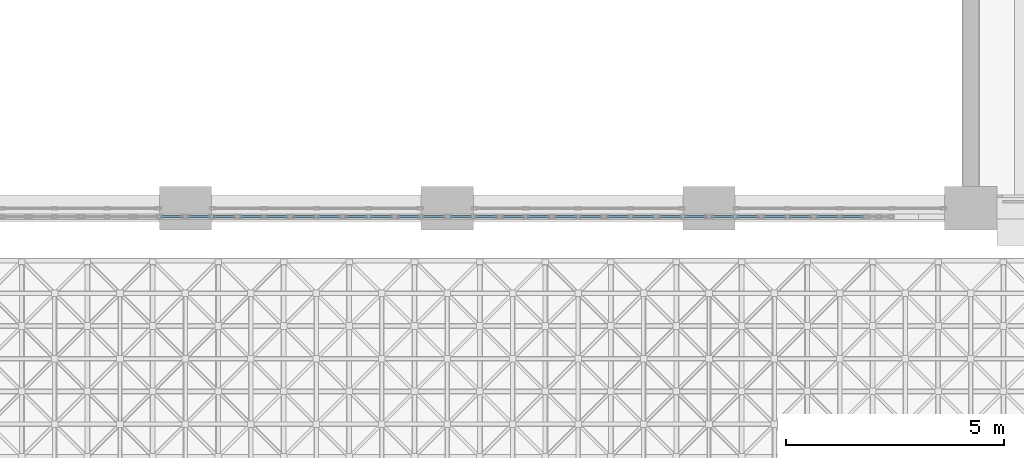
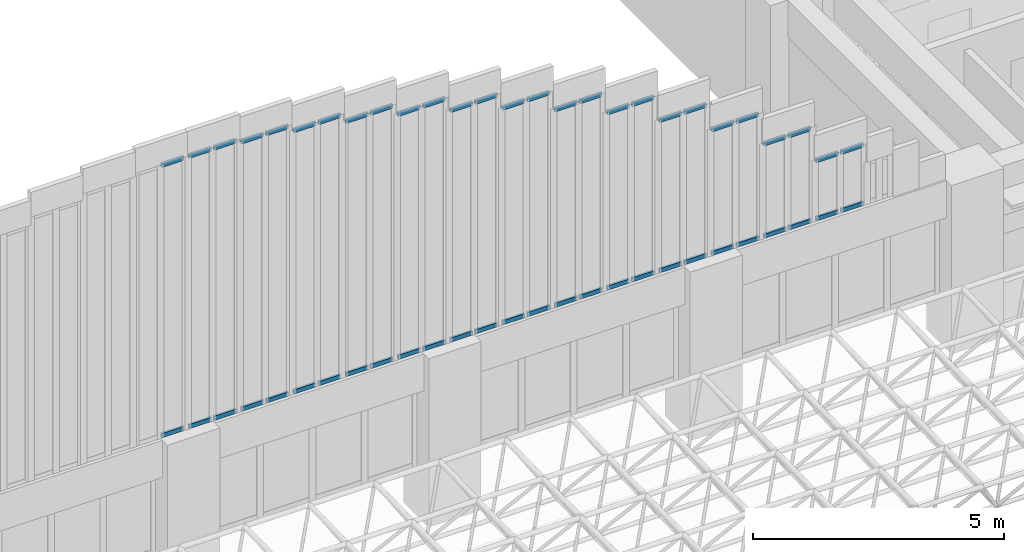
# One storey, part 42 of 103: 54 members, 14 elements without a shape of their own.
"""IFC4 building model written with IfcOpenShell, lengths in metres."""

from ifc_helpers import new_model, si_unit, direction, frame, origin, origin_2d, place, context, subcontext, project, spatial, hollow_rectangle, extrude, material, material_profile, profile_set, type_object, element, aggregate, save


model = new_model("IFC4")

# Units and contexts
model_context = context("Model", 3, precision=1e-05, world=origin(), true_north=direction((0.0, 1.0)))
body_context = subcontext(model_context, "Body", "Model", "MODEL_VIEW")
ifc_project = project(units=[si_unit("LENGTHUNIT", "METRE"), si_unit("AREAUNIT", "SQUARE_METRE"), si_unit("VOLUMEUNIT", "CUBIC_METRE"), si_unit("PLANEANGLEUNIT", "RADIAN"), si_unit("MASSUNIT", "GRAM", prefix="KILO")], contexts=[model_context])

# Site, building, storey
site_placement = place(None, origin())
site = spatial("IfcSite", under=ifc_project, at=site_placement, CompositionType="ELEMENT")
building_placement = place(site_placement, origin())
building = spatial("IfcBuilding", under=site, at=building_placement, Name="Laocheng Heights Fire and Rescue Headquarters", CompositionType="ELEMENT")
storey_placement = place(building_placement, frame((0.0, 0.0, 4.199951171875)))
storey = spatial("IfcBuildingStorey", under=building, at=storey_placement, Name="L01", CompositionType="ELEMENT", Elevation=4.199951171875)

# Curtain wall, members
ifc_material_1 = material(Name="Aluminium gable glazing, low-e double glazing", Category="aluminium")
curtain_wall_type_1 = type_object("IfcCurtainWallType", Name="GABLE GLAZED UNIT 1200 x 6658", PredefinedType="NOTDEFINED", material=ifc_material_1)
curtain_wall_1_placement = place(storey_placement, origin())
curtain_wall_1 = element("IfcCurtainWall", 1, at=curtain_wall_1_placement, inside=storey, type_object=curtain_wall_type_1, Name="Gable glazing S16", PredefinedType="NOTDEFINED")
ifc_material_2 = material(Name="Aluminium 6063-T5 extrusion", Category="aluminium")
ifc_material_profile = material_profile(ifc_material_2, hollow_rectangle(XDim=0.050048828125, YDim=0.10009765625, WallThickness=0.0029296875, at=origin_2d()), Name="AL TRANSOM 100x50x3")
ifc_profile_set = profile_set([ifc_material_profile], Name="Aluminium 6063-T5 extrusion")
member_type = type_object("IfcMemberType", Name="AL GABLE TRANSOM 100x50x3", PredefinedType="USERDEFINED", material=ifc_profile_set)
member_1_placement = place(storey_placement, frame((35.429931640625, -0.196533203125, 4.140625), z_axis=(1.0, 0.0, 0.0), x_axis=(0.0, 1.0, 0.0)))
member_1 = element("IfcMember", 2, at=member_1_placement, type_object=member_type, Name="X15-D transom 2.1", ObjectType="TRANSOM", PredefinedType="USERDEFINED", context=body_context, shape_type="SweptSolid", body=[
    extrude(hollow_rectangle(XDim=0.050048828125, YDim=0.10009765625, WallThickness=0.0029296875, at=origin_2d()), origin(), (0.0, 0.0, 1.0), 0.510009765625),
])
member_2_placement = place(storey_placement, frame((35.429931640625, -0.196533203125, 10.698974609375), z_axis=(1.0, 0.0, 0.0), x_axis=(0.0, 1.0, 0.0)))
member_2 = element("IfcMember", 3, at=member_2_placement, type_object=member_type, Name="X15-D transom 2.2", ObjectType="TRANSOM", PredefinedType="USERDEFINED", context=body_context, shape_type="SweptSolid", body=[
    extrude(hollow_rectangle(XDim=0.050048828125, YDim=0.10009765625, WallThickness=0.0029296875, at=origin_2d()), origin(), (0.0, 0.0, 1.0), 0.510009765625),
])
aggregate(curtain_wall_1, [member_1, member_2])

curtain_wall_2_placement = place(storey_placement, origin())
curtain_wall_2 = element("IfcCurtainWall", 4, at=curtain_wall_2_placement, inside=storey, type_object=curtain_wall_type_1, Name="Gable glazing S17", PredefinedType="NOTDEFINED")
member_3_placement = place(storey_placement, frame((36.06005859375, -0.196533203125, 4.140625), z_axis=(1.0, 0.0, 0.0), x_axis=(0.0, 1.0, 0.0)))
member_3 = element("IfcMember", 5, at=member_3_placement, type_object=member_type, Name="X15-D transom 1.1", ObjectType="TRANSOM", PredefinedType="USERDEFINED", context=body_context, shape_type="SweptSolid", body=[
    extrude(hollow_rectangle(XDim=0.050048828125, YDim=0.10009765625, WallThickness=0.0029296875, at=origin_2d()), origin(), (0.0, 0.0, 1.0), 0.510009765625),
])
member_4_placement = place(storey_placement, frame((36.06005859375, -0.196533203125, 10.698974609375), z_axis=(1.0, 0.0, 0.0), x_axis=(0.0, 1.0, 0.0)))
member_4 = element("IfcMember", 6, at=member_4_placement, type_object=member_type, Name="X15-D transom 1.2", ObjectType="TRANSOM", PredefinedType="USERDEFINED", context=body_context, shape_type="SweptSolid", body=[
    extrude(hollow_rectangle(XDim=0.050048828125, YDim=0.10009765625, WallThickness=0.0029296875, at=origin_2d()), origin(), (0.0, 0.0, 1.0), 0.510009765625),
])
member_5_placement = place(storey_placement, frame((36.6298828125, -0.196533203125, 4.140625), z_axis=(1.0, 0.0, 0.0), x_axis=(0.0, 1.0, 0.0)))
member_5 = element("IfcMember", 7, at=member_5_placement, type_object=member_type, Name="X15-D transom 2.1", ObjectType="TRANSOM", PredefinedType="USERDEFINED", context=body_context, shape_type="SweptSolid", body=[
    extrude(hollow_rectangle(XDim=0.050048828125, YDim=0.10009765625, WallThickness=0.0029296875, at=origin_2d()), origin(), (0.0, 0.0, 1.0), 0.510009765625),
])
member_6_placement = place(storey_placement, frame((36.6298828125, -0.196533203125, 10.698974609375), z_axis=(1.0, 0.0, 0.0), x_axis=(0.0, 1.0, 0.0)))
member_6 = element("IfcMember", 8, at=member_6_placement, type_object=member_type, Name="X15-D transom 2.2", ObjectType="TRANSOM", PredefinedType="USERDEFINED", context=body_context, shape_type="SweptSolid", body=[
    extrude(hollow_rectangle(XDim=0.050048828125, YDim=0.10009765625, WallThickness=0.0029296875, at=origin_2d()), origin(), (0.0, 0.0, 1.0), 0.510009765625),
])
aggregate(curtain_wall_2, [member_3, member_4, member_5, member_6])

ifc_material_3 = material(Name="Aluminium gable glazing, low-e double glazing", Category="aluminium")
curtain_wall_type_2 = type_object("IfcCurtainWallType", Name="GABLE GLAZED UNIT 1200 x 6586", PredefinedType="NOTDEFINED", material=ifc_material_3)
curtain_wall_3_placement = place(storey_placement, origin())
curtain_wall_3 = element("IfcCurtainWall", 9, at=curtain_wall_3_placement, inside=storey, type_object=curtain_wall_type_2, Name="Gable glazing S18", PredefinedType="NOTDEFINED")
member_7_placement = place(storey_placement, frame((37.260009765625, -0.196533203125, 4.140625), z_axis=(1.0, 0.0, 0.0), x_axis=(0.0, 1.0, 0.0)))
member_7 = element("IfcMember", 10, at=member_7_placement, type_object=member_type, Name="X14-D transom 1.1", ObjectType="TRANSOM", PredefinedType="USERDEFINED", context=body_context, shape_type="SweptSolid", body=[
    extrude(hollow_rectangle(XDim=0.050048828125, YDim=0.10009765625, WallThickness=0.0029296875, at=origin_2d()), origin(), (0.0, 0.0, 1.0), 0.510009765625),
])
member_8_placement = place(storey_placement, frame((37.260009765625, -0.196533203125, 10.6259765625), z_axis=(1.0, 0.0, 0.0), x_axis=(0.0, 1.0, 0.0)))
member_8 = element("IfcMember", 11, at=member_8_placement, type_object=member_type, Name="X14-D transom 1.2", ObjectType="TRANSOM", PredefinedType="USERDEFINED", context=body_context, shape_type="SweptSolid", body=[
    extrude(hollow_rectangle(XDim=0.050048828125, YDim=0.10009765625, WallThickness=0.0029296875, at=origin_2d()), origin(), (0.0, 0.0, 1.0), 0.510009765625),
])
member_9_placement = place(storey_placement, frame((37.830078125, -0.196533203125, 4.140625), z_axis=(1.0, 0.0, 0.0), x_axis=(0.0, 1.0, 0.0)))
member_9 = element("IfcMember", 12, at=member_9_placement, type_object=member_type, Name="X14-D transom 2.1", ObjectType="TRANSOM", PredefinedType="USERDEFINED", context=body_context, shape_type="SweptSolid", body=[
    extrude(hollow_rectangle(XDim=0.050048828125, YDim=0.10009765625, WallThickness=0.0029296875, at=origin_2d()), origin(), (0.0, 0.0, 1.0), 0.510009765625),
])
member_10_placement = place(storey_placement, frame((37.830078125, -0.196533203125, 10.6259765625), z_axis=(1.0, 0.0, 0.0), x_axis=(0.0, 1.0, 0.0)))
member_10 = element("IfcMember", 13, at=member_10_placement, type_object=member_type, Name="X14-D transom 2.2", ObjectType="TRANSOM", PredefinedType="USERDEFINED", context=body_context, shape_type="SweptSolid", body=[
    extrude(hollow_rectangle(XDim=0.050048828125, YDim=0.10009765625, WallThickness=0.0029296875, at=origin_2d()), origin(), (0.0, 0.0, 1.0), 0.510009765625),
])
aggregate(curtain_wall_3, [member_7, member_8, member_9, member_10])

ifc_material_4 = material(Name="Aluminium gable glazing, low-e double glazing", Category="aluminium")
curtain_wall_type_3 = type_object("IfcCurtainWallType", Name="GABLE GLAZED UNIT 1200 x 6438", PredefinedType="NOTDEFINED", material=ifc_material_4)
curtain_wall_4_placement = place(storey_placement, origin())
curtain_wall_4 = element("IfcCurtainWall", 14, at=curtain_wall_4_placement, inside=storey, type_object=curtain_wall_type_3, Name="Gable glazing S19", PredefinedType="NOTDEFINED")
member_11_placement = place(storey_placement, frame((38.4599609375, -0.196533203125, 4.140625), z_axis=(1.0, 0.0, 0.0), x_axis=(0.0, 1.0, 0.0)))
member_11 = element("IfcMember", 15, at=member_11_placement, type_object=member_type, Name="X13-D transom 1.1", ObjectType="TRANSOM", PredefinedType="USERDEFINED", context=body_context, shape_type="SweptSolid", body=[
    extrude(hollow_rectangle(XDim=0.050048828125, YDim=0.10009765625, WallThickness=0.0029296875, at=origin_2d()), origin(), (0.0, 0.0, 1.0), 0.510009765625),
])
member_12_placement = place(storey_placement, frame((38.4599609375, -0.196533203125, 10.47802734375), z_axis=(1.0, 0.0, 0.0), x_axis=(0.0, 1.0, 0.0)))
member_12 = element("IfcMember", 16, at=member_12_placement, type_object=member_type, Name="X13-D transom 1.2", ObjectType="TRANSOM", PredefinedType="USERDEFINED", context=body_context, shape_type="SweptSolid", body=[
    extrude(hollow_rectangle(XDim=0.050048828125, YDim=0.10009765625, WallThickness=0.0029296875, at=origin_2d()), origin(), (0.0, 0.0, 1.0), 0.510009765625),
])
member_13_placement = place(storey_placement, frame((39.030029296875, -0.196533203125, 4.140625), z_axis=(1.0, 0.0, 0.0), x_axis=(0.0, 1.0, 0.0)))
member_13 = element("IfcMember", 17, at=member_13_placement, type_object=member_type, Name="X13-D transom 2.1", ObjectType="TRANSOM", PredefinedType="USERDEFINED", context=body_context, shape_type="SweptSolid", body=[
    extrude(hollow_rectangle(XDim=0.050048828125, YDim=0.10009765625, WallThickness=0.0029296875, at=origin_2d()), origin(), (0.0, 0.0, 1.0), 0.510009765625),
])
member_14_placement = place(storey_placement, frame((39.030029296875, -0.196533203125, 10.47802734375), z_axis=(1.0, 0.0, 0.0), x_axis=(0.0, 1.0, 0.0)))
member_14 = element("IfcMember", 18, at=member_14_placement, type_object=member_type, Name="X13-D transom 2.2", ObjectType="TRANSOM", PredefinedType="USERDEFINED", context=body_context, shape_type="SweptSolid", body=[
    extrude(hollow_rectangle(XDim=0.050048828125, YDim=0.10009765625, WallThickness=0.0029296875, at=origin_2d()), origin(), (0.0, 0.0, 1.0), 0.510009765625),
])
aggregate(curtain_wall_4, [member_11, member_12, member_13, member_14])

ifc_material_5 = material(Name="Aluminium gable glazing, low-e double glazing", Category="aluminium")
curtain_wall_type_4 = type_object("IfcCurtainWallType", Name="GABLE GLAZED UNIT 1200 x 6246", PredefinedType="NOTDEFINED", material=ifc_material_5)
curtain_wall_5_placement = place(storey_placement, origin())
curtain_wall_5 = element("IfcCurtainWall", 19, at=curtain_wall_5_placement, inside=storey, type_object=curtain_wall_type_4, Name="Gable glazing S20", PredefinedType="NOTDEFINED")
member_15_placement = place(storey_placement, frame((39.659912109375, -0.196533203125, 4.140625), z_axis=(1.0, 0.0, 0.0), x_axis=(0.0, 1.0, 0.0)))
member_15 = element("IfcMember", 20, at=member_15_placement, type_object=member_type, Name="X12-D transom 1.1", ObjectType="TRANSOM", PredefinedType="USERDEFINED", context=body_context, shape_type="SweptSolid", body=[
    extrude(hollow_rectangle(XDim=0.050048828125, YDim=0.10009765625, WallThickness=0.0029296875, at=origin_2d()), origin(), (0.0, 0.0, 1.0), 0.510009765625),
])
member_16_placement = place(storey_placement, frame((39.659912109375, -0.196533203125, 10.2861328125), z_axis=(1.0, 0.0, 0.0), x_axis=(0.0, 1.0, 0.0)))
member_16 = element("IfcMember", 21, at=member_16_placement, type_object=member_type, Name="X12-D transom 1.2", ObjectType="TRANSOM", PredefinedType="USERDEFINED", context=body_context, shape_type="SweptSolid", body=[
    extrude(hollow_rectangle(XDim=0.050048828125, YDim=0.10009765625, WallThickness=0.0029296875, at=origin_2d()), origin(), (0.0, 0.0, 1.0), 0.510009765625),
])
member_17_placement = place(storey_placement, frame((40.22998046875, -0.196533203125, 4.140625), z_axis=(1.0, 0.0, 0.0), x_axis=(0.0, 1.0, 0.0)))
member_17 = element("IfcMember", 22, at=member_17_placement, type_object=member_type, Name="X12-D transom 2.1", ObjectType="TRANSOM", PredefinedType="USERDEFINED", context=body_context, shape_type="SweptSolid", body=[
    extrude(hollow_rectangle(XDim=0.050048828125, YDim=0.10009765625, WallThickness=0.0029296875, at=origin_2d()), origin(), (0.0, 0.0, 1.0), 0.510009765625),
])
member_18_placement = place(storey_placement, frame((40.22998046875, -0.196533203125, 10.2861328125), z_axis=(1.0, 0.0, 0.0), x_axis=(0.0, 1.0, 0.0)))
member_18 = element("IfcMember", 23, at=member_18_placement, type_object=member_type, Name="X12-D transom 2.2", ObjectType="TRANSOM", PredefinedType="USERDEFINED", context=body_context, shape_type="SweptSolid", body=[
    extrude(hollow_rectangle(XDim=0.050048828125, YDim=0.10009765625, WallThickness=0.0029296875, at=origin_2d()), origin(), (0.0, 0.0, 1.0), 0.510009765625),
])
aggregate(curtain_wall_5, [member_15, member_16, member_17, member_18])

ifc_material_6 = material(Name="Aluminium gable glazing, low-e double glazing", Category="aluminium")
curtain_wall_type_5 = type_object("IfcCurtainWallType", Name="GABLE GLAZED UNIT 1200 x 5994", PredefinedType="NOTDEFINED", material=ifc_material_6)
curtain_wall_6_placement = place(storey_placement, origin())
curtain_wall_6 = element("IfcCurtainWall", 24, at=curtain_wall_6_placement, inside=storey, type_object=curtain_wall_type_5, Name="Gable glazing S21", PredefinedType="NOTDEFINED")
member_19_placement = place(storey_placement, frame((40.860107421875, -0.196533203125, 4.140625), z_axis=(1.0, 0.0, 0.0), x_axis=(0.0, 1.0, 0.0)))
member_19 = element("IfcMember", 25, at=member_19_placement, type_object=member_type, Name="X11-D transom 1.1", ObjectType="TRANSOM", PredefinedType="USERDEFINED", context=body_context, shape_type="SweptSolid", body=[
    extrude(hollow_rectangle(XDim=0.050048828125, YDim=0.10009765625, WallThickness=0.0029296875, at=origin_2d()), origin(), (0.0, 0.0, 1.0), 0.510009765625),
])
member_20_placement = place(storey_placement, frame((40.860107421875, -0.196533203125, 10.03515625), z_axis=(1.0, 0.0, 0.0), x_axis=(0.0, 1.0, 0.0)))
member_20 = element("IfcMember", 26, at=member_20_placement, type_object=member_type, Name="X11-D transom 1.2", ObjectType="TRANSOM", PredefinedType="USERDEFINED", context=body_context, shape_type="SweptSolid", body=[
    extrude(hollow_rectangle(XDim=0.050048828125, YDim=0.10009765625, WallThickness=0.0029296875, at=origin_2d()), origin(), (0.0, 0.0, 1.0), 0.510009765625),
])
member_21_placement = place(storey_placement, frame((41.429931640625, -0.196533203125, 4.140625), z_axis=(1.0, 0.0, 0.0), x_axis=(0.0, 1.0, 0.0)))
member_21 = element("IfcMember", 27, at=member_21_placement, type_object=member_type, Name="X11-D transom 2.1", ObjectType="TRANSOM", PredefinedType="USERDEFINED", context=body_context, shape_type="SweptSolid", body=[
    extrude(hollow_rectangle(XDim=0.050048828125, YDim=0.10009765625, WallThickness=0.0029296875, at=origin_2d()), origin(), (0.0, 0.0, 1.0), 0.510009765625),
])
member_22_placement = place(storey_placement, frame((41.429931640625, -0.196533203125, 10.03515625), z_axis=(1.0, 0.0, 0.0), x_axis=(0.0, 1.0, 0.0)))
member_22 = element("IfcMember", 28, at=member_22_placement, type_object=member_type, Name="X11-D transom 2.2", ObjectType="TRANSOM", PredefinedType="USERDEFINED", context=body_context, shape_type="SweptSolid", body=[
    extrude(hollow_rectangle(XDim=0.050048828125, YDim=0.10009765625, WallThickness=0.0029296875, at=origin_2d()), origin(), (0.0, 0.0, 1.0), 0.510009765625),
])
aggregate(curtain_wall_6, [member_19, member_20, member_21, member_22])

ifc_material_7 = material(Name="Aluminium gable glazing, low-e double glazing", Category="aluminium")
curtain_wall_type_6 = type_object("IfcCurtainWallType", Name="GABLE GLAZED UNIT 1200 x 5668", PredefinedType="NOTDEFINED", material=ifc_material_7)
curtain_wall_7_placement = place(storey_placement, origin())
curtain_wall_7 = element("IfcCurtainWall", 29, at=curtain_wall_7_placement, inside=storey, type_object=curtain_wall_type_6, Name="Gable glazing S22", PredefinedType="NOTDEFINED")
member_23_placement = place(storey_placement, frame((42.06005859375, -0.196533203125, 4.140625), z_axis=(1.0, 0.0, 0.0), x_axis=(0.0, 1.0, 0.0)))
member_23 = element("IfcMember", 30, at=member_23_placement, type_object=member_type, Name="X10-D transom 1.1", ObjectType="TRANSOM", PredefinedType="USERDEFINED", context=body_context, shape_type="SweptSolid", body=[
    extrude(hollow_rectangle(XDim=0.050048828125, YDim=0.10009765625, WallThickness=0.0029296875, at=origin_2d()), origin(), (0.0, 0.0, 1.0), 0.510009765625),
])
member_24_placement = place(storey_placement, frame((42.06005859375, -0.196533203125, 9.708984375), z_axis=(1.0, 0.0, 0.0), x_axis=(0.0, 1.0, 0.0)))
member_24 = element("IfcMember", 31, at=member_24_placement, type_object=member_type, Name="X10-D transom 1.2", ObjectType="TRANSOM", PredefinedType="USERDEFINED", context=body_context, shape_type="SweptSolid", body=[
    extrude(hollow_rectangle(XDim=0.050048828125, YDim=0.10009765625, WallThickness=0.0029296875, at=origin_2d()), origin(), (0.0, 0.0, 1.0), 0.510009765625),
])
member_25_placement = place(storey_placement, frame((42.6298828125, -0.196533203125, 4.140625), z_axis=(1.0, 0.0, 0.0), x_axis=(0.0, 1.0, 0.0)))
member_25 = element("IfcMember", 32, at=member_25_placement, type_object=member_type, Name="X10-D transom 2.1", ObjectType="TRANSOM", PredefinedType="USERDEFINED", context=body_context, shape_type="SweptSolid", body=[
    extrude(hollow_rectangle(XDim=0.050048828125, YDim=0.10009765625, WallThickness=0.0029296875, at=origin_2d()), origin(), (0.0, 0.0, 1.0), 0.510009765625),
])
member_26_placement = place(storey_placement, frame((42.6298828125, -0.196533203125, 9.708984375), z_axis=(1.0, 0.0, 0.0), x_axis=(0.0, 1.0, 0.0)))
member_26 = element("IfcMember", 33, at=member_26_placement, type_object=member_type, Name="X10-D transom 2.2", ObjectType="TRANSOM", PredefinedType="USERDEFINED", context=body_context, shape_type="SweptSolid", body=[
    extrude(hollow_rectangle(XDim=0.050048828125, YDim=0.10009765625, WallThickness=0.0029296875, at=origin_2d()), origin(), (0.0, 0.0, 1.0), 0.510009765625),
])
aggregate(curtain_wall_7, [member_23, member_24, member_25, member_26])

ifc_material_8 = material(Name="Aluminium gable glazing, low-e double glazing", Category="aluminium")
curtain_wall_type_7 = type_object("IfcCurtainWallType", Name="GABLE GLAZED UNIT 1200 x 5306", PredefinedType="NOTDEFINED", material=ifc_material_8)
curtain_wall_8_placement = place(storey_placement, origin())
curtain_wall_8 = element("IfcCurtainWall", 34, at=curtain_wall_8_placement, inside=storey, type_object=curtain_wall_type_7, Name="Gable glazing S23", PredefinedType="NOTDEFINED")
member_27_placement = place(storey_placement, frame((43.260009765625, -0.196533203125, 4.140625), z_axis=(1.0, 0.0, 0.0), x_axis=(0.0, 1.0, 0.0)))
member_27 = element("IfcMember", 35, at=member_27_placement, type_object=member_type, Name="X9-D transom 1.1", ObjectType="TRANSOM", PredefinedType="USERDEFINED", context=body_context, shape_type="SweptSolid", body=[
    extrude(hollow_rectangle(XDim=0.050048828125, YDim=0.10009765625, WallThickness=0.0029296875, at=origin_2d()), origin(), (0.0, 0.0, 1.0), 0.510009765625),
])
member_28_placement = place(storey_placement, frame((43.260009765625, -0.196533203125, 9.345947265625), z_axis=(1.0, 0.0, 0.0), x_axis=(0.0, 1.0, 0.0)))
member_28 = element("IfcMember", 36, at=member_28_placement, type_object=member_type, Name="X9-D transom 1.2", ObjectType="TRANSOM", PredefinedType="USERDEFINED", context=body_context, shape_type="SweptSolid", body=[
    extrude(hollow_rectangle(XDim=0.050048828125, YDim=0.10009765625, WallThickness=0.0029296875, at=origin_2d()), origin(), (0.0, 0.0, 1.0), 0.510009765625),
])
member_29_placement = place(storey_placement, frame((43.830078125, -0.196533203125, 4.140625), z_axis=(1.0, 0.0, 0.0), x_axis=(0.0, 1.0, 0.0)))
member_29 = element("IfcMember", 37, at=member_29_placement, type_object=member_type, Name="X9-D transom 2.1", ObjectType="TRANSOM", PredefinedType="USERDEFINED", context=body_context, shape_type="SweptSolid", body=[
    extrude(hollow_rectangle(XDim=0.050048828125, YDim=0.10009765625, WallThickness=0.0029296875, at=origin_2d()), origin(), (0.0, 0.0, 1.0), 0.510009765625),
])
member_30_placement = place(storey_placement, frame((43.830078125, -0.196533203125, 9.345947265625), z_axis=(1.0, 0.0, 0.0), x_axis=(0.0, 1.0, 0.0)))
member_30 = element("IfcMember", 38, at=member_30_placement, type_object=member_type, Name="X9-D transom 2.2", ObjectType="TRANSOM", PredefinedType="USERDEFINED", context=body_context, shape_type="SweptSolid", body=[
    extrude(hollow_rectangle(XDim=0.050048828125, YDim=0.10009765625, WallThickness=0.0029296875, at=origin_2d()), origin(), (0.0, 0.0, 1.0), 0.510009765625),
])
aggregate(curtain_wall_8, [member_27, member_28, member_29, member_30])

ifc_material_9 = material(Name="Aluminium gable glazing, low-e double glazing", Category="aluminium")
curtain_wall_type_8 = type_object("IfcCurtainWallType", Name="GABLE GLAZED UNIT 1200 x 4846", PredefinedType="NOTDEFINED", material=ifc_material_9)
curtain_wall_9_placement = place(storey_placement, origin())
curtain_wall_9 = element("IfcCurtainWall", 39, at=curtain_wall_9_placement, inside=storey, type_object=curtain_wall_type_8, Name="Gable glazing S24", PredefinedType="NOTDEFINED")
member_31_placement = place(storey_placement, frame((44.4599609375, -0.196533203125, 4.140625), z_axis=(1.0, 0.0, 0.0), x_axis=(0.0, 1.0, 0.0)))
member_31 = element("IfcMember", 40, at=member_31_placement, type_object=member_type, Name="X8-D transom 1.1", ObjectType="TRANSOM", PredefinedType="USERDEFINED", context=body_context, shape_type="SweptSolid", body=[
    extrude(hollow_rectangle(XDim=0.050048828125, YDim=0.10009765625, WallThickness=0.0029296875, at=origin_2d()), origin(), (0.0, 0.0, 1.0), 0.510009765625),
])
member_32_placement = place(storey_placement, frame((44.4599609375, -0.196533203125, 8.885986328125), z_axis=(1.0, 0.0, 0.0), x_axis=(0.0, 1.0, 0.0)))
member_32 = element("IfcMember", 41, at=member_32_placement, type_object=member_type, Name="X8-D transom 1.2", ObjectType="TRANSOM", PredefinedType="USERDEFINED", context=body_context, shape_type="SweptSolid", body=[
    extrude(hollow_rectangle(XDim=0.050048828125, YDim=0.10009765625, WallThickness=0.0029296875, at=origin_2d()), origin(), (0.0, 0.0, 1.0), 0.510009765625),
])
member_33_placement = place(storey_placement, frame((45.030029296875, -0.196533203125, 4.140625), z_axis=(1.0, 0.0, 0.0), x_axis=(0.0, 1.0, 0.0)))
member_33 = element("IfcMember", 42, at=member_33_placement, type_object=member_type, Name="X8-D transom 2.1", ObjectType="TRANSOM", PredefinedType="USERDEFINED", context=body_context, shape_type="SweptSolid", body=[
    extrude(hollow_rectangle(XDim=0.050048828125, YDim=0.10009765625, WallThickness=0.0029296875, at=origin_2d()), origin(), (0.0, 0.0, 1.0), 0.510009765625),
])
member_34_placement = place(storey_placement, frame((45.030029296875, -0.196533203125, 8.885986328125), z_axis=(1.0, 0.0, 0.0), x_axis=(0.0, 1.0, 0.0)))
member_34 = element("IfcMember", 43, at=member_34_placement, type_object=member_type, Name="X8-D transom 2.2", ObjectType="TRANSOM", PredefinedType="USERDEFINED", context=body_context, shape_type="SweptSolid", body=[
    extrude(hollow_rectangle(XDim=0.050048828125, YDim=0.10009765625, WallThickness=0.0029296875, at=origin_2d()), origin(), (0.0, 0.0, 1.0), 0.510009765625),
])
aggregate(curtain_wall_9, [member_31, member_32, member_33, member_34])

ifc_material_10 = material(Name="Aluminium gable glazing, low-e double glazing", Category="aluminium")
curtain_wall_type_9 = type_object("IfcCurtainWallType", Name="GABLE GLAZED UNIT 1200 x 4353", PredefinedType="NOTDEFINED", material=ifc_material_10)
curtain_wall_10_placement = place(storey_placement, origin())
curtain_wall_10 = element("IfcCurtainWall", 44, at=curtain_wall_10_placement, inside=storey, type_object=curtain_wall_type_9, Name="Gable glazing S25", PredefinedType="NOTDEFINED")
member_35_placement = place(storey_placement, frame((45.659912109375, -0.196533203125, 4.140625), z_axis=(1.0, 0.0, 0.0), x_axis=(0.0, 1.0, 0.0)))
member_35 = element("IfcMember", 45, at=member_35_placement, type_object=member_type, Name="X7-D transom 1.1", ObjectType="TRANSOM", PredefinedType="USERDEFINED", context=body_context, shape_type="SweptSolid", body=[
    extrude(hollow_rectangle(XDim=0.050048828125, YDim=0.10009765625, WallThickness=0.0029296875, at=origin_2d()), origin(), (0.0, 0.0, 1.0), 0.510009765625),
])
member_36_placement = place(storey_placement, frame((45.659912109375, -0.196533203125, 8.39306640625), z_axis=(1.0, 0.0, 0.0), x_axis=(0.0, 1.0, 0.0)))
member_36 = element("IfcMember", 46, at=member_36_placement, type_object=member_type, Name="X7-D transom 1.2", ObjectType="TRANSOM", PredefinedType="USERDEFINED", context=body_context, shape_type="SweptSolid", body=[
    extrude(hollow_rectangle(XDim=0.050048828125, YDim=0.10009765625, WallThickness=0.0029296875, at=origin_2d()), origin(), (0.0, 0.0, 1.0), 0.510009765625),
])
member_37_placement = place(storey_placement, frame((46.22998046875, -0.196533203125, 4.140625), z_axis=(1.0, 0.0, 0.0), x_axis=(0.0, 1.0, 0.0)))
member_37 = element("IfcMember", 47, at=member_37_placement, type_object=member_type, Name="X7-D transom 2.1", ObjectType="TRANSOM", PredefinedType="USERDEFINED", context=body_context, shape_type="SweptSolid", body=[
    extrude(hollow_rectangle(XDim=0.050048828125, YDim=0.10009765625, WallThickness=0.0029296875, at=origin_2d()), origin(), (0.0, 0.0, 1.0), 0.510009765625),
])
member_38_placement = place(storey_placement, frame((46.22998046875, -0.196533203125, 8.39306640625), z_axis=(1.0, 0.0, 0.0), x_axis=(0.0, 1.0, 0.0)))
member_38 = element("IfcMember", 48, at=member_38_placement, type_object=member_type, Name="X7-D transom 2.2", ObjectType="TRANSOM", PredefinedType="USERDEFINED", context=body_context, shape_type="SweptSolid", body=[
    extrude(hollow_rectangle(XDim=0.050048828125, YDim=0.10009765625, WallThickness=0.0029296875, at=origin_2d()), origin(), (0.0, 0.0, 1.0), 0.510009765625),
])
aggregate(curtain_wall_10, [member_35, member_36, member_37, member_38])

ifc_material_11 = material(Name="Aluminium gable glazing, low-e double glazing", Category="aluminium")
curtain_wall_type_10 = type_object("IfcCurtainWallType", Name="GABLE GLAZED UNIT 1200 x 3746", PredefinedType="NOTDEFINED", material=ifc_material_11)
curtain_wall_11_placement = place(storey_placement, origin())
curtain_wall_11 = element("IfcCurtainWall", 49, at=curtain_wall_11_placement, inside=storey, type_object=curtain_wall_type_10, Name="Gable glazing S26", PredefinedType="NOTDEFINED")
member_39_placement = place(storey_placement, frame((46.860107421875, -0.196533203125, 4.140625), z_axis=(1.0, 0.0, 0.0), x_axis=(0.0, 1.0, 0.0)))
member_39 = element("IfcMember", 50, at=member_39_placement, type_object=member_type, Name="X6-D transom 1.1", ObjectType="TRANSOM", PredefinedType="USERDEFINED", context=body_context, shape_type="SweptSolid", body=[
    extrude(hollow_rectangle(XDim=0.050048828125, YDim=0.10009765625, WallThickness=0.0029296875, at=origin_2d()), origin(), (0.0, 0.0, 1.0), 0.510009765625),
])
member_40_placement = place(storey_placement, frame((46.860107421875, -0.196533203125, 7.7861328125), z_axis=(1.0, 0.0, 0.0), x_axis=(0.0, 1.0, 0.0)))
member_40 = element("IfcMember", 51, at=member_40_placement, type_object=member_type, Name="X6-D transom 1.2", ObjectType="TRANSOM", PredefinedType="USERDEFINED", context=body_context, shape_type="SweptSolid", body=[
    extrude(hollow_rectangle(XDim=0.050048828125, YDim=0.10009765625, WallThickness=0.0029296875, at=origin_2d()), origin(), (0.0, 0.0, 1.0), 0.510009765625),
])
member_41_placement = place(storey_placement, frame((47.429931640625, -0.196533203125, 4.140625), z_axis=(1.0, 0.0, 0.0), x_axis=(0.0, 1.0, 0.0)))
member_41 = element("IfcMember", 52, at=member_41_placement, type_object=member_type, Name="X6-D transom 2.1", ObjectType="TRANSOM", PredefinedType="USERDEFINED", context=body_context, shape_type="SweptSolid", body=[
    extrude(hollow_rectangle(XDim=0.050048828125, YDim=0.10009765625, WallThickness=0.0029296875, at=origin_2d()), origin(), (0.0, 0.0, 1.0), 0.510009765625),
])
member_42_placement = place(storey_placement, frame((47.429931640625, -0.196533203125, 7.7861328125), z_axis=(1.0, 0.0, 0.0), x_axis=(0.0, 1.0, 0.0)))
member_42 = element("IfcMember", 53, at=member_42_placement, type_object=member_type, Name="X6-D transom 2.2", ObjectType="TRANSOM", PredefinedType="USERDEFINED", context=body_context, shape_type="SweptSolid", body=[
    extrude(hollow_rectangle(XDim=0.050048828125, YDim=0.10009765625, WallThickness=0.0029296875, at=origin_2d()), origin(), (0.0, 0.0, 1.0), 0.510009765625),
])
aggregate(curtain_wall_11, [member_39, member_40, member_41, member_42])

ifc_material_12 = material(Name="Aluminium gable glazing, low-e double glazing", Category="aluminium")
curtain_wall_type_11 = type_object("IfcCurtainWallType", Name="GABLE GLAZED UNIT 1200 x 3100", PredefinedType="NOTDEFINED", material=ifc_material_12)
curtain_wall_12_placement = place(storey_placement, origin())
curtain_wall_12 = element("IfcCurtainWall", 54, at=curtain_wall_12_placement, inside=storey, type_object=curtain_wall_type_11, Name="Gable glazing S27", PredefinedType="NOTDEFINED")
member_43_placement = place(storey_placement, frame((48.06005859375, -0.196533203125, 4.140625), z_axis=(1.0, 0.0, 0.0), x_axis=(0.0, 1.0, 0.0)))
member_43 = element("IfcMember", 55, at=member_43_placement, type_object=member_type, Name="X5-D transom 1.1", ObjectType="TRANSOM", PredefinedType="USERDEFINED", context=body_context, shape_type="SweptSolid", body=[
    extrude(hollow_rectangle(XDim=0.050048828125, YDim=0.10009765625, WallThickness=0.0029296875, at=origin_2d()), origin(), (0.0, 0.0, 1.0), 0.510009765625),
])
member_44_placement = place(storey_placement, frame((48.06005859375, -0.196533203125, 7.14013671875), z_axis=(1.0, 0.0, 0.0), x_axis=(0.0, 1.0, 0.0)))
member_44 = element("IfcMember", 56, at=member_44_placement, type_object=member_type, Name="X5-D transom 1.2", ObjectType="TRANSOM", PredefinedType="USERDEFINED", context=body_context, shape_type="SweptSolid", body=[
    extrude(hollow_rectangle(XDim=0.050048828125, YDim=0.10009765625, WallThickness=0.0029296875, at=origin_2d()), origin(), (0.0, 0.0, 1.0), 0.510009765625),
])
member_45_placement = place(storey_placement, frame((48.6298828125, -0.196533203125, 4.140625), z_axis=(1.0, 0.0, 0.0), x_axis=(0.0, 1.0, 0.0)))
member_45 = element("IfcMember", 57, at=member_45_placement, type_object=member_type, Name="X5-D transom 2.1", ObjectType="TRANSOM", PredefinedType="USERDEFINED", context=body_context, shape_type="SweptSolid", body=[
    extrude(hollow_rectangle(XDim=0.050048828125, YDim=0.10009765625, WallThickness=0.0029296875, at=origin_2d()), origin(), (0.0, 0.0, 1.0), 0.510009765625),
])
member_46_placement = place(storey_placement, frame((48.6298828125, -0.196533203125, 7.14013671875), z_axis=(1.0, 0.0, 0.0), x_axis=(0.0, 1.0, 0.0)))
member_46 = element("IfcMember", 58, at=member_46_placement, type_object=member_type, Name="X5-D transom 2.2", ObjectType="TRANSOM", PredefinedType="USERDEFINED", context=body_context, shape_type="SweptSolid", body=[
    extrude(hollow_rectangle(XDim=0.050048828125, YDim=0.10009765625, WallThickness=0.0029296875, at=origin_2d()), origin(), (0.0, 0.0, 1.0), 0.510009765625),
])
aggregate(curtain_wall_12, [member_43, member_44, member_45, member_46])

ifc_material_13 = material(Name="Aluminium gable glazing, low-e double glazing", Category="aluminium")
curtain_wall_type_12 = type_object("IfcCurtainWallType", Name="GABLE GLAZED UNIT 1200 x 2336", PredefinedType="NOTDEFINED", material=ifc_material_13)
curtain_wall_13_placement = place(storey_placement, origin())
curtain_wall_13 = element("IfcCurtainWall", 59, at=curtain_wall_13_placement, inside=storey, type_object=curtain_wall_type_12, Name="Gable glazing S28", PredefinedType="NOTDEFINED")
member_47_placement = place(storey_placement, frame((49.260009765625, -0.196533203125, 4.140625), z_axis=(1.0, 0.0, 0.0), x_axis=(0.0, 1.0, 0.0)))
member_47 = element("IfcMember", 60, at=member_47_placement, type_object=member_type, Name="X4-D transom 1.1", ObjectType="TRANSOM", PredefinedType="USERDEFINED", context=body_context, shape_type="SweptSolid", body=[
    extrude(hollow_rectangle(XDim=0.050048828125, YDim=0.10009765625, WallThickness=0.0029296875, at=origin_2d()), origin(), (0.0, 0.0, 1.0), 0.510009765625),
])
member_48_placement = place(storey_placement, frame((49.260009765625, -0.196533203125, 6.3759765625), z_axis=(1.0, 0.0, 0.0), x_axis=(0.0, 1.0, 0.0)))
member_48 = element("IfcMember", 61, at=member_48_placement, type_object=member_type, Name="X4-D transom 1.2", ObjectType="TRANSOM", PredefinedType="USERDEFINED", context=body_context, shape_type="SweptSolid", body=[
    extrude(hollow_rectangle(XDim=0.050048828125, YDim=0.10009765625, WallThickness=0.0029296875, at=origin_2d()), origin(), (0.0, 0.0, 1.0), 0.510009765625),
])
member_49_placement = place(storey_placement, frame((49.830078125, -0.196533203125, 4.140625), z_axis=(1.0, 0.0, 0.0), x_axis=(0.0, 1.0, 0.0)))
member_49 = element("IfcMember", 62, at=member_49_placement, type_object=member_type, Name="X4-D transom 2.1", ObjectType="TRANSOM", PredefinedType="USERDEFINED", context=body_context, shape_type="SweptSolid", body=[
    extrude(hollow_rectangle(XDim=0.050048828125, YDim=0.10009765625, WallThickness=0.0029296875, at=origin_2d()), origin(), (0.0, 0.0, 1.0), 0.510009765625),
])
member_50_placement = place(storey_placement, frame((49.830078125, -0.196533203125, 6.3759765625), z_axis=(1.0, 0.0, 0.0), x_axis=(0.0, 1.0, 0.0)))
member_50 = element("IfcMember", 63, at=member_50_placement, type_object=member_type, Name="X4-D transom 2.2", ObjectType="TRANSOM", PredefinedType="USERDEFINED", context=body_context, shape_type="SweptSolid", body=[
    extrude(hollow_rectangle(XDim=0.050048828125, YDim=0.10009765625, WallThickness=0.0029296875, at=origin_2d()), origin(), (0.0, 0.0, 1.0), 0.510009765625),
])
aggregate(curtain_wall_13, [member_47, member_48, member_49, member_50])

ifc_material_14 = material(Name="Aluminium gable glazing, low-e double glazing", Category="aluminium")
curtain_wall_type_13 = type_object("IfcCurtainWallType", Name="GABLE GLAZED UNIT 1200 x 1511", PredefinedType="NOTDEFINED", material=ifc_material_14)
curtain_wall_14_placement = place(storey_placement, origin())
curtain_wall_14 = element("IfcCurtainWall", 64, at=curtain_wall_14_placement, inside=storey, type_object=curtain_wall_type_13, Name="Gable glazing S29", PredefinedType="NOTDEFINED")
member_51_placement = place(storey_placement, frame((50.4599609375, -0.196533203125, 4.140625), z_axis=(1.0, 0.0, 0.0), x_axis=(0.0, 1.0, 0.0)))
member_51 = element("IfcMember", 65, at=member_51_placement, type_object=member_type, Name="X3-D transom 1.1", ObjectType="TRANSOM", PredefinedType="USERDEFINED", context=body_context, shape_type="SweptSolid", body=[
    extrude(hollow_rectangle(XDim=0.050048828125, YDim=0.10009765625, WallThickness=0.0029296875, at=origin_2d()), origin(), (0.0, 0.0, 1.0), 0.510009765625),
])
member_52_placement = place(storey_placement, frame((50.4599609375, -0.196533203125, 5.552001953125), z_axis=(1.0, 0.0, 0.0), x_axis=(0.0, 1.0, 0.0)))
member_52 = element("IfcMember", 66, at=member_52_placement, type_object=member_type, Name="X3-D transom 1.2", ObjectType="TRANSOM", PredefinedType="USERDEFINED", context=body_context, shape_type="SweptSolid", body=[
    extrude(hollow_rectangle(XDim=0.050048828125, YDim=0.10009765625, WallThickness=0.0029296875, at=origin_2d()), origin(), (0.0, 0.0, 1.0), 0.510009765625),
])
member_53_placement = place(storey_placement, frame((51.030029296875, -0.196533203125, 4.140625), z_axis=(1.0, 0.0, 0.0), x_axis=(0.0, 1.0, 0.0)))
member_53 = element("IfcMember", 67, at=member_53_placement, type_object=member_type, Name="X3-D transom 2.1", ObjectType="TRANSOM", PredefinedType="USERDEFINED", context=body_context, shape_type="SweptSolid", body=[
    extrude(hollow_rectangle(XDim=0.050048828125, YDim=0.10009765625, WallThickness=0.0029296875, at=origin_2d()), origin(), (0.0, 0.0, 1.0), 0.510009765625),
])
member_54_placement = place(storey_placement, frame((51.030029296875, -0.196533203125, 5.552001953125), z_axis=(1.0, 0.0, 0.0), x_axis=(0.0, 1.0, 0.0)))
member_54 = element("IfcMember", 68, at=member_54_placement, type_object=member_type, Name="X3-D transom 2.2", ObjectType="TRANSOM", PredefinedType="USERDEFINED", context=body_context, shape_type="SweptSolid", body=[
    extrude(hollow_rectangle(XDim=0.050048828125, YDim=0.10009765625, WallThickness=0.0029296875, at=origin_2d()), origin(), (0.0, 0.0, 1.0), 0.510009765625),
])
aggregate(curtain_wall_14, [member_51, member_52, member_53, member_54])

save(model, "model.ifc")
